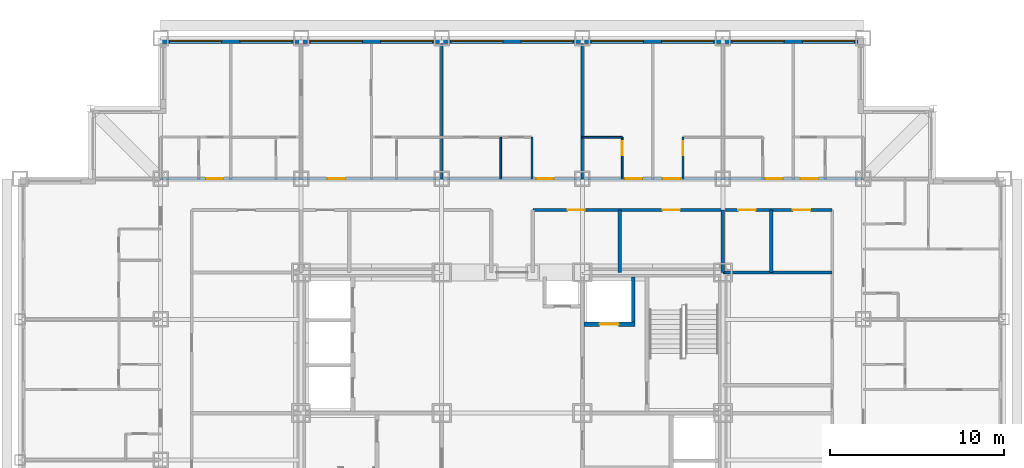
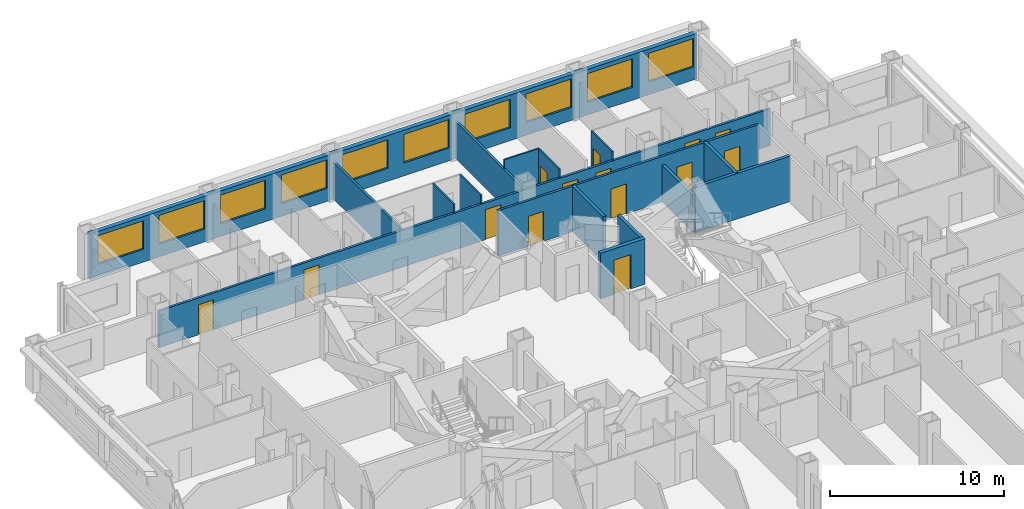
# One storey, part 10 of 14: 16 walls, 14 doors, 10 windows, 24 openings.
"""IFC4 building model written with IfcOpenShell, lengths in metres."""

from ifc_helpers import new_model, si_unit, direction, frame, frame_2d, origin, place, context, subcontext, project, spatial, rectangle, extrude, material, layer, layer_set, type_object, element, fill, save


model = new_model("IFC4")

# Units and contexts
model_context = context("Model", 3, precision=1e-05, world=origin(), true_north=direction((0.0, 1.0)))
body_context = subcontext(model_context, "Body", "Model", "MODEL_VIEW")
ifc_project = project(units=[si_unit("LENGTHUNIT", "METRE"), si_unit("AREAUNIT", "SQUARE_METRE"), si_unit("VOLUMEUNIT", "CUBIC_METRE"), si_unit("PLANEANGLEUNIT", "RADIAN"), si_unit("MASSUNIT", "GRAM", prefix="KILO")], contexts=[model_context])

# Site, building, storey
site_placement = place(None, origin())
site = spatial("IfcSite", under=ifc_project, at=site_placement, CompositionType="ELEMENT")
building_placement = place(site_placement, origin())
building = spatial("IfcBuilding", under=site, at=building_placement, Name="Kopane Lantern Tower", CompositionType="ELEMENT")
storey_placement = place(building_placement, frame((0.0, 0.0, 123.800048828125)))
storey = spatial("IfcBuildingStorey", under=building, at=storey_placement, Name="L31", CompositionType="ELEMENT", Elevation=123.800048828125)

# Walls
ifc_material_1 = material(Name="Moisture-resistant board on steel studs", Category="steel")
ifc_layer_1 = layer(ifc_material_1, 0.10009765625)
ifc_layer_set_1 = layer_set([ifc_layer_1], Name="BATHROOM WALL 100")
wall_type_1 = type_object("IfcWallType", Name="BATHROOM WALL 100", PredefinedType="PARTITIONING", material=ifc_layer_set_1)
for number, where, z_axis, x_axis, name in (
    (1, (27.699951171875, 45.89990234375, 0.0), (0.0, 0.0, 1.0), (0.0, 1.0, 0.0), "Bathroom Wall 100 L31"),
    (2, (29.5, 45.89990234375, 0.0), (0.0, 0.0, 1.0), (0.0, 1.0, 0.0), "Bathroom Wall 100 L31"),
):
    element("IfcWall", number, at=place(storey_placement, frame(where, z_axis=z_axis, x_axis=x_axis)), inside=storey, type_object=wall_type_1, Name=name, PredefinedType="PARTITIONING", context=body_context, shape_type="SweptSolid", body=[
        extrude(rectangle(XDim=2.400146484375, YDim=0.10009765625, at=frame_2d((1.2001953125, 0.0))), origin(), (0.0, 0.0, 1.0), 3.18994140625),
    ])
wall_1_placement = place(storey_placement, frame((32.39990234375, 48.300048828125, 0.0), z_axis=(0.0, 0.0, 1.0), x_axis=(1.0, 0.0, 0.0)))
element("IfcWall", 3, at=wall_1_placement, inside=storey, type_object=wall_type_1, Name="Bathroom Wall 100 L31", PredefinedType="PARTITIONING", context=body_context, shape_type="SweptSolid", body=[
    extrude(rectangle(XDim=2.300048828125, YDim=0.10009765625, at=frame_2d((1.14990234375, 0.0))), origin(), (0.0, 0.0, 1.0), 3.18994140625),
])

# Wall, opening, door
wall_2_placement = place(storey_placement, frame((34.699951171875, 45.89990234375, 0.0), z_axis=(0.0, 0.0, 1.0), x_axis=(0.0, 1.0, 0.0)))
wall_2 = element("IfcWall", 4, at=wall_2_placement, inside=storey, type_object=wall_type_1, Name="Bathroom Wall 100 L31", PredefinedType="PARTITIONING", context=body_context, shape_type="SweptSolid", body=[
    extrude(rectangle(XDim=2.400146484375, YDim=0.10009765625, at=frame_2d((1.2001953125, 0.0))), origin(), (0.0, 0.0, 1.0), 3.18994140625),
])
opening_1_placement = place(wall_2_placement, frame((1.35009765625, 0.0, 0.0)))
opening_1 = element("IfcOpeningElement", 5, at=opening_1_placement, cuts=wall_2, Name="Opening L31-037", PredefinedType="OPENING", context=body_context, shape_type="SweptSolid", body=[
    extrude(rectangle(XDim=0.800048828125, YDim=2.10009765625, at=frame_2d((0.39990234375, 1.050048828125))), frame((0.0, 0.06005859375, 0.0), z_axis=(0.0, -1.0, 0.0), x_axis=(1.0, 0.0, 0.0)), (0.0, 0.0, 1.0), 0.1201171875),
])
ifc_material_2 = material(Name="Timber door set", Category="wood")
door_type_1 = type_object("IfcDoorType", Name="DOOR D2 800x2100", OperationType="SINGLE_SWING_LEFT", PredefinedType="DOOR", material=ifc_material_2)
door_1_placement = place(opening_1_placement, origin())
door_1 = element("IfcDoor", 6, at=door_1_placement, inside=storey, type_object=door_type_1, Name="Door L31-037", OperationType="SINGLE_SWING_RIGHT", OverallHeight=2.10009765625, OverallWidth=0.800048828125, PredefinedType="DOOR", context=body_context, shape_type="SweptSolid", body=[
    extrude(rectangle(XDim=0.800048828125, YDim=2.10009765625, at=frame_2d((0.39990234375, 1.050048828125))), frame((0.0, 0.02490234375, 0.0), z_axis=(0.0, -1.0, 0.0), x_axis=(1.0, 0.0, 0.0)), (0.0, 0.0, 1.0), 0.050048828125),
])
fill(opening_1, door_1)

wall_3_placement = place(storey_placement, frame((38.199951171875, 45.89990234375, 0.0), z_axis=(0.0, 0.0, 1.0), x_axis=(0.0, 1.0, 0.0)))
wall_3 = element("IfcWall", 7, at=wall_3_placement, inside=storey, type_object=wall_type_1, Name="Bathroom Wall 100 L31", PredefinedType="PARTITIONING", context=body_context, shape_type="SweptSolid", body=[
    extrude(rectangle(XDim=2.400146484375, YDim=0.10009765625, at=frame_2d((1.2001953125, 0.0))), origin(), (0.0, 0.0, 1.0), 3.18994140625),
])
opening_2_placement = place(wall_3_placement, frame((1.35009765625, 0.0, 0.0)))
opening_2 = element("IfcOpeningElement", 8, at=opening_2_placement, cuts=wall_3, Name="Opening L31-039", PredefinedType="OPENING", context=body_context, shape_type="SweptSolid", body=[
    extrude(rectangle(XDim=0.800048828125, YDim=2.10009765625, at=frame_2d((0.39990234375, 1.050048828125))), frame((0.0, 0.06005859375, 0.0), z_axis=(0.0, -1.0, 0.0), x_axis=(1.0, 0.0, 0.0)), (0.0, 0.0, 1.0), 0.1201171875),
])
door_2_placement = place(opening_2_placement, origin())
door_2 = element("IfcDoor", 9, at=door_2_placement, inside=storey, type_object=door_type_1, Name="Door L31-039", OperationType="SINGLE_SWING_LEFT", OverallHeight=2.10009765625, OverallWidth=0.800048828125, PredefinedType="DOOR", context=body_context, shape_type="SweptSolid", body=[
    extrude(rectangle(XDim=0.800048828125, YDim=2.10009765625, at=frame_2d((0.39990234375, 1.050048828125))), frame((0.0, 0.02490234375, 0.0), z_axis=(0.0, -1.0, 0.0), x_axis=(1.0, 0.0, 0.0)), (0.0, 0.0, 1.0), 0.050048828125),
])
fill(opening_2, door_2)

ifc_material_3 = material(Name="Gypsum shaft wall EI 120", Category="gypsum")
ifc_layer_2 = layer(ifc_material_3, 0.25)
ifc_layer_set_2 = layer_set([ifc_layer_2], Name="CORE SHAFT WALL 250 EI 120")
wall_type_2 = type_object("IfcWallType", Name="CORE SHAFT WALL 250 EI 120", PredefinedType="SOLIDWALL", material=ifc_layer_set_2)
wall_4_placement = place(storey_placement, frame((32.5, 37.52490234375, 0.0), z_axis=(0.0, 0.0, 1.0), x_axis=(1.0, 0.0, 0.0)))
wall_4 = element("IfcWall", 10, at=wall_4_placement, inside=storey, type_object=wall_type_2, Name="Core shaft wall L31 YLF2", PredefinedType="SOLIDWALL", context=body_context, shape_type="SweptSolid", body=[
    extrude(rectangle(XDim=2.949951171875, YDim=0.25, at=frame_2d((1.47509765625, 0.0))), origin(), (0.0, 0.0, 1.0), 3.18994140625),
])
opening_3_placement = place(wall_4_placement, frame((0.89990234375, 0.0, 0.0)))
opening_3 = element("IfcOpeningElement", 11, at=opening_3_placement, cuts=wall_4, Name="Opening 31.LD-LF2", PredefinedType="OPENING", context=body_context, shape_type="SweptSolid", body=[
    extrude(rectangle(XDim=1.10009765625, YDim=2.39990234375, at=frame_2d((0.550048828125, 1.199951171875))), frame((0.0, 0.135009765625, 0.0), z_axis=(0.0, -1.0, 0.0), x_axis=(1.0, 0.0, 0.0)), (0.0, 0.0, 1.0), 0.27001953125),
])
ifc_material_4 = material(Name="Steel door set", Category="steel")
door_type_2 = type_object("IfcDoorType", Name="LIFT LANDING DOOR 1100x2400 FD60", OperationType="DOUBLE_DOOR_SLIDING", PredefinedType="DOOR", material=ifc_material_4)
door_3_placement = place(opening_3_placement, origin())
door_3 = element("IfcDoor", 12, at=door_3_placement, inside=storey, type_object=door_type_2, Name="Landing door LF2 L31", OperationType="DOUBLE_DOOR_SLIDING", OverallHeight=2.39990234375, OverallWidth=1.10009765625, PredefinedType="DOOR", context=body_context, shape_type="SweptSolid", body=[
    extrude(rectangle(XDim=1.10009765625, YDim=2.39990234375, at=frame_2d((0.550048828125, 1.199951171875))), frame((0.0, 0.02490234375, 0.0), z_axis=(0.0, -1.0, 0.0), x_axis=(1.0, 0.0, 0.0)), (0.0, 0.0, 1.0), 0.050048828125),
])
fill(opening_3, door_3)

# Wall, openings, doors
ifc_material_5 = material(Name="Gypsum board on steel studs", Category="steel")
ifc_layer_3 = layer(ifc_material_5, 0.14990234375)
ifc_layer_set_3 = layer_set([ifc_layer_3], Name="CORRIDOR WALL 150 EI 60")
wall_type_3 = type_object("IfcWallType", Name="CORRIDOR WALL 150 EI 60", PredefinedType="PARTITIONING", material=ifc_layer_set_3)
wall_5_placement = place(storey_placement, frame((8.10009765625, 45.89990234375, 0.0), z_axis=(0.0, 0.0, 1.0), x_axis=(1.0, 0.0, 0.0)))
wall_5 = element("IfcWall", 13, at=wall_5_placement, inside=storey, type_object=wall_type_3, Name="Corridor Wall 150 Ei 60 L31", PredefinedType="PARTITIONING", context=body_context, shape_type="SweptSolid", body=[
    extrude(rectangle(XDim=40.5, YDim=0.14990234375, at=frame_2d((20.25, 0.0))), origin(), (0.0, 0.0, 1.0), 2.57763671875),
])
opening_4_placement = place(wall_5_placement, frame((9.625, 0.0, 0.0)))
opening_4 = element("IfcOpeningElement", 14, at=opening_4_placement, cuts=wall_5, Name="Opening L31-029", PredefinedType="OPENING", context=body_context, shape_type="SweptSolid", body=[
    extrude(rectangle(XDim=1.0, YDim=2.10009765625, at=frame_2d((0.5, 1.050048828125))), frame((0.0, 0.0849609375, 0.0), z_axis=(0.0, -1.0, 0.0), x_axis=(1.0, 0.0, 0.0)), (0.0, 0.0, 1.0), 0.169921875),
])
opening_5_placement = place(wall_5_placement, frame((21.64990234375, 0.0, 0.0)))
opening_5 = element("IfcOpeningElement", 15, at=opening_5_placement, cuts=wall_5, Name="Opening L31-036", PredefinedType="OPENING", context=body_context, shape_type="SweptSolid", body=[
    extrude(rectangle(XDim=1.0, YDim=2.10009765625, at=frame_2d((0.5, 1.050048828125))), frame((0.0, 0.0849609375, 0.0), z_axis=(0.0, -1.0, 0.0), x_axis=(1.0, 0.0, 0.0)), (0.0, 0.0, 1.0), 0.169921875),
])
opening_6_placement = place(wall_5_placement, frame((26.75, 0.0, 0.0)))
opening_6 = element("IfcOpeningElement", 16, at=opening_6_placement, cuts=wall_5, Name="Opening L31-038", PredefinedType="OPENING", context=body_context, shape_type="SweptSolid", body=[
    extrude(rectangle(XDim=1.0, YDim=2.10009765625, at=frame_2d((0.5, 1.050048828125))), frame((0.0, 0.0849609375, 0.0), z_axis=(0.0, -1.0, 0.0), x_axis=(1.0, 0.0, 0.0)), (0.0, 0.0, 1.0), 0.169921875),
])
opening_7_placement = place(wall_5_placement, frame((28.949951171875, 0.0, 0.0)))
opening_7 = element("IfcOpeningElement", 17, at=opening_7_placement, cuts=wall_5, Name="Opening L31-040", PredefinedType="OPENING", context=body_context, shape_type="SweptSolid", body=[
    extrude(rectangle(XDim=1.0, YDim=2.10009765625, at=frame_2d((0.5, 1.050048828125))), frame((0.0, 0.0849609375, 0.0), z_axis=(0.0, -1.0, 0.0), x_axis=(1.0, 0.0, 0.0)), (0.0, 0.0, 1.0), 0.169921875),
])
opening_8_placement = place(wall_5_placement, frame((34.85009765625, 0.0, 0.0)))
opening_8 = element("IfcOpeningElement", 18, at=opening_8_placement, cuts=wall_5, Name="Opening L31-042", PredefinedType="OPENING", context=body_context, shape_type="SweptSolid", body=[
    extrude(rectangle(XDim=1.0, YDim=2.10009765625, at=frame_2d((0.5, 1.050048828125))), frame((0.0, 0.0849609375, 0.0), z_axis=(0.0, -1.0, 0.0), x_axis=(1.0, 0.0, 0.0)), (0.0, 0.0, 1.0), 0.169921875),
])
opening_9_placement = place(wall_5_placement, frame((36.875, 0.0, 0.0)))
opening_9 = element("IfcOpeningElement", 19, at=opening_9_placement, cuts=wall_5, Name="Opening L31-074", PredefinedType="OPENING", context=body_context, shape_type="SweptSolid", body=[
    extrude(rectangle(XDim=1.0, YDim=2.10009765625, at=frame_2d((0.5, 1.050048828125))), frame((0.0, 0.0849609375, 0.0), z_axis=(0.0, -1.0, 0.0), x_axis=(1.0, 0.0, 0.0)), (0.0, 0.0, 1.0), 0.169921875),
])
opening_10_placement = place(wall_5_placement, frame((2.625, 0.0, 0.0)))
opening_10 = element("IfcOpeningElement", 20, at=opening_10_placement, cuts=wall_5, Name="Opening L31-077", PredefinedType="OPENING", context=body_context, shape_type="SweptSolid", body=[
    extrude(rectangle(XDim=1.0, YDim=2.10009765625, at=frame_2d((0.5, 1.050048828125))), frame((0.0, 0.0849609375, 0.0), z_axis=(0.0, -1.0, 0.0), x_axis=(1.0, 0.0, 0.0)), (0.0, 0.0, 1.0), 0.169921875),
])
ifc_material_6 = material(Name="Steel door set", Category="steel")
door_type_3 = type_object("IfcDoorType", Name="DOOR D1 1000x2100 FD30S", OperationType="SINGLE_SWING_LEFT", PredefinedType="DOOR", material=ifc_material_6)
door_4_placement = place(opening_4_placement, origin())
door_4 = element("IfcDoor", 21, at=door_4_placement, inside=storey, type_object=door_type_3, Name="Door L31-029", OperationType="SINGLE_SWING_RIGHT", OverallHeight=2.10009765625, OverallWidth=1.0, PredefinedType="DOOR", context=body_context, shape_type="SweptSolid", body=[
    extrude(rectangle(XDim=1.0, YDim=2.10009765625, at=frame_2d((0.5, 1.050048828125))), frame((0.0, 0.02490234375, 0.0), z_axis=(0.0, -1.0, 0.0), x_axis=(1.0, 0.0, 0.0)), (0.0, 0.0, 1.0), 0.050048828125),
])
fill(opening_4, door_4)
door_5_placement = place(opening_5_placement, origin())
door_5 = element("IfcDoor", 22, at=door_5_placement, inside=storey, type_object=door_type_3, Name="Door L31-036", OperationType="SINGLE_SWING_LEFT", OverallHeight=2.10009765625, OverallWidth=1.0, PredefinedType="DOOR", context=body_context, shape_type="SweptSolid", body=[
    extrude(rectangle(XDim=1.0, YDim=2.10009765625, at=frame_2d((0.5, 1.050048828125))), frame((0.0, 0.02490234375, 0.0), z_axis=(0.0, -1.0, 0.0), x_axis=(1.0, 0.0, 0.0)), (0.0, 0.0, 1.0), 0.050048828125),
])
fill(opening_5, door_5)
door_6_placement = place(opening_6_placement, origin())
door_6 = element("IfcDoor", 23, at=door_6_placement, inside=storey, type_object=door_type_3, Name="Door L31-038", OperationType="SINGLE_SWING_LEFT", OverallHeight=2.10009765625, OverallWidth=1.0, PredefinedType="DOOR", context=body_context, shape_type="SweptSolid", body=[
    extrude(rectangle(XDim=1.0, YDim=2.10009765625, at=frame_2d((0.5, 1.050048828125))), frame((0.0, 0.02490234375, 0.0), z_axis=(0.0, -1.0, 0.0), x_axis=(1.0, 0.0, 0.0)), (0.0, 0.0, 1.0), 0.050048828125),
])
fill(opening_6, door_6)
door_7_placement = place(opening_7_placement, origin())
door_7 = element("IfcDoor", 24, at=door_7_placement, inside=storey, type_object=door_type_3, Name="Door L31-040", OperationType="SINGLE_SWING_RIGHT", OverallHeight=2.10009765625, OverallWidth=1.0, PredefinedType="DOOR", context=body_context, shape_type="SweptSolid", body=[
    extrude(rectangle(XDim=1.0, YDim=2.10009765625, at=frame_2d((0.5, 1.050048828125))), frame((0.0, 0.02490234375, 0.0), z_axis=(0.0, -1.0, 0.0), x_axis=(1.0, 0.0, 0.0)), (0.0, 0.0, 1.0), 0.050048828125),
])
fill(opening_7, door_7)
door_8_placement = place(opening_8_placement, origin())
door_8 = element("IfcDoor", 25, at=door_8_placement, inside=storey, type_object=door_type_3, Name="Door L31-042", OperationType="SINGLE_SWING_LEFT", OverallHeight=2.10009765625, OverallWidth=1.0, PredefinedType="DOOR", context=body_context, shape_type="SweptSolid", body=[
    extrude(rectangle(XDim=1.0, YDim=2.10009765625, at=frame_2d((0.5, 1.050048828125))), frame((0.0, 0.02490234375, 0.0), z_axis=(0.0, -1.0, 0.0), x_axis=(1.0, 0.0, 0.0)), (0.0, 0.0, 1.0), 0.050048828125),
])
fill(opening_8, door_8)
door_9_placement = place(opening_9_placement, origin())
door_9 = element("IfcDoor", 26, at=door_9_placement, inside=storey, type_object=door_type_3, Name="Door L31-074", OperationType="SINGLE_SWING_LEFT", OverallHeight=2.10009765625, OverallWidth=1.0, PredefinedType="DOOR", context=body_context, shape_type="SweptSolid", body=[
    extrude(rectangle(XDim=1.0, YDim=2.10009765625, at=frame_2d((0.5, 1.050048828125))), frame((0.0, 0.02490234375, 0.0), z_axis=(0.0, -1.0, 0.0), x_axis=(1.0, 0.0, 0.0)), (0.0, 0.0, 1.0), 0.050048828125),
])
fill(opening_9, door_9)
door_10_placement = place(opening_10_placement, origin())
door_10 = element("IfcDoor", 27, at=door_10_placement, inside=storey, type_object=door_type_3, Name="Door L31-077", OperationType="SINGLE_SWING_LEFT", OverallHeight=2.10009765625, OverallWidth=1.0, PredefinedType="DOOR", context=body_context, shape_type="SweptSolid", body=[
    extrude(rectangle(XDim=1.0, YDim=2.10009765625, at=frame_2d((0.5, 1.050048828125))), frame((0.0, 0.02490234375, 0.0), z_axis=(0.0, -1.0, 0.0), x_axis=(1.0, 0.0, 0.0)), (0.0, 0.0, 1.0), 0.050048828125),
])
fill(opening_10, door_10)

wall_6_placement = place(storey_placement, frame((46.800048828125, 44.10009765625, 0.0), z_axis=(0.0, 0.0, 1.0), x_axis=(-1.0, 0.0, 0.0)))
wall_6 = element("IfcWall", 28, at=wall_6_placement, inside=storey, type_object=wall_type_3, Name="Corridor Wall 150 Ei 60 L31", PredefinedType="PARTITIONING", context=body_context, shape_type="SweptSolid", body=[
    extrude(rectangle(XDim=17.239990234375, YDim=0.14990234375, at=frame_2d((8.6201171875, 0.0))), origin(), (0.0, 0.0, 1.0), 3.18994140625),
])
opening_11_placement = place(wall_6_placement, frame((14.25, 0.0, 0.0)))
opening_11 = element("IfcOpeningElement", 29, at=opening_11_placement, cuts=wall_6, Name="Opening L31-011", PredefinedType="OPENING", context=body_context, shape_type="SweptSolid", body=[
    extrude(rectangle(XDim=1.0, YDim=2.10009765625, at=frame_2d((0.5, 1.050048828125))), frame((0.0, 0.0849609375, 0.0), z_axis=(0.0, -1.0, 0.0), x_axis=(1.0, 0.0, 0.0)), (0.0, 0.0, 1.0), 0.169921875),
])
opening_12_placement = place(wall_6_placement, frame((8.77490234375, 0.0, 0.0)))
opening_12 = element("IfcOpeningElement", 30, at=opening_12_placement, cuts=wall_6, Name="Opening L31-012", PredefinedType="OPENING", context=body_context, shape_type="SweptSolid", body=[
    extrude(rectangle(XDim=1.0, YDim=2.10009765625, at=frame_2d((0.5, 1.050048828125))), frame((0.0, 0.0849609375, 0.0), z_axis=(0.0, -1.0, 0.0), x_axis=(1.0, 0.0, 0.0)), (0.0, 0.0, 1.0), 0.169921875),
])
opening_13_placement = place(wall_6_placement, frame((4.4111328125, 0.0, 0.0)))
opening_13 = element("IfcOpeningElement", 31, at=opening_13_placement, cuts=wall_6, Name="Opening L31-013", PredefinedType="OPENING", context=body_context, shape_type="SweptSolid", body=[
    extrude(rectangle(XDim=1.0, YDim=2.10009765625, at=frame_2d((0.5, 1.050048828125))), frame((0.0, 0.0849609375, 0.0), z_axis=(0.0, -1.0, 0.0), x_axis=(1.0, 0.0, 0.0)), (0.0, 0.0, 1.0), 0.169921875),
])
opening_14_placement = place(wall_6_placement, frame((1.260986328125, 0.0, 0.0)))
opening_14 = element("IfcOpeningElement", 32, at=opening_14_placement, cuts=wall_6, Name="Opening L31-014", PredefinedType="OPENING", context=body_context, shape_type="SweptSolid", body=[
    extrude(rectangle(XDim=1.0, YDim=2.10009765625, at=frame_2d((0.5, 1.050048828125))), frame((0.0, 0.0849609375, 0.0), z_axis=(0.0, -1.0, 0.0), x_axis=(1.0, 0.0, 0.0)), (0.0, 0.0, 1.0), 0.169921875),
])
ifc_material_7 = material(Name="Steel door set", Category="steel")
door_type_4 = type_object("IfcDoorType", Name="DOOR D5 1000x2100 FD60", OperationType="SINGLE_SWING_LEFT", PredefinedType="DOOR", material=ifc_material_7)
door_11_placement = place(opening_11_placement, origin())
door_11 = element("IfcDoor", 33, at=door_11_placement, inside=storey, type_object=door_type_4, Name="Door L31-011", OperationType="SINGLE_SWING_RIGHT", OverallHeight=2.10009765625, OverallWidth=1.0, PredefinedType="DOOR", context=body_context, shape_type="SweptSolid", body=[
    extrude(rectangle(XDim=1.0, YDim=2.10009765625, at=frame_2d((0.5, 1.050048828125))), frame((0.0, 0.02490234375, 0.0), z_axis=(0.0, -1.0, 0.0), x_axis=(1.0, 0.0, 0.0)), (0.0, 0.0, 1.0), 0.050048828125),
])
fill(opening_11, door_11)
door_12_placement = place(opening_12_placement, origin())
door_12 = element("IfcDoor", 34, at=door_12_placement, inside=storey, type_object=door_type_4, Name="Door L31-012", OperationType="SINGLE_SWING_LEFT", OverallHeight=2.10009765625, OverallWidth=1.0, PredefinedType="DOOR", context=body_context, shape_type="SweptSolid", body=[
    extrude(rectangle(XDim=1.0, YDim=2.10009765625, at=frame_2d((0.5, 1.050048828125))), frame((0.0, 0.02490234375, 0.0), z_axis=(0.0, -1.0, 0.0), x_axis=(1.0, 0.0, 0.0)), (0.0, 0.0, 1.0), 0.050048828125),
])
fill(opening_12, door_12)
door_13_placement = place(opening_13_placement, origin())
door_13 = element("IfcDoor", 35, at=door_13_placement, inside=storey, type_object=door_type_4, Name="Door L31-013", OperationType="SINGLE_SWING_RIGHT", OverallHeight=2.10009765625, OverallWidth=1.0, PredefinedType="DOOR", context=body_context, shape_type="SweptSolid", body=[
    extrude(rectangle(XDim=1.0, YDim=2.10009765625, at=frame_2d((0.5, 1.050048828125))), frame((0.0, 0.02490234375, 0.0), z_axis=(0.0, -1.0, 0.0), x_axis=(1.0, 0.0, 0.0)), (0.0, 0.0, 1.0), 0.050048828125),
])
fill(opening_13, door_13)
door_14_placement = place(opening_14_placement, origin())
door_14 = element("IfcDoor", 36, at=door_14_placement, inside=storey, type_object=door_type_4, Name="Door L31-014", OperationType="SINGLE_SWING_LEFT", OverallHeight=2.10009765625, OverallWidth=1.0, PredefinedType="DOOR", context=body_context, shape_type="SweptSolid", body=[
    extrude(rectangle(XDim=1.0, YDim=2.10009765625, at=frame_2d((0.5, 1.050048828125))), frame((0.0, 0.02490234375, 0.0), z_axis=(0.0, -1.0, 0.0), x_axis=(1.0, 0.0, 0.0)), (0.0, 0.0, 1.0), 0.050048828125),
])
fill(opening_14, door_14)

# Walls
ifc_material_8 = material(Name="Gypsum board on steel studs", Category="steel")
ifc_layer_4 = layer(ifc_material_8, 0.14990234375)
ifc_layer_set_4 = layer_set([ifc_layer_4], Name="DEMISING WALL 150 EI 60")
wall_type_4 = type_object("IfcWallType", Name="DEMISING WALL 150 EI 60", PredefinedType="PARTITIONING", material=ifc_layer_set_4)
for number, where, z_axis, x_axis, name in (
    (37, (24.300048828125, 45.89990234375, 0.0), (0.0, 0.0, 1.0), (0.0, 1.0, 0.0), "Demising Wall 150 Ei 60 L31"),
    (38, (32.39990234375, 45.89990234375, 0.0), (0.0, 0.0, 1.0), (0.0, 1.0, 0.0), "Demising Wall 150 Ei 60 L31"),
):
    element("IfcWall", number, at=place(storey_placement, frame(where, z_axis=z_axis, x_axis=x_axis)), inside=storey, type_object=wall_type_4, Name=name, PredefinedType="PARTITIONING", context=body_context, shape_type="SweptSolid", body=[
        extrude(rectangle(XDim=7.800048828125, YDim=0.14990234375, at=frame_2d((3.89990234375, 0.0))), origin(), (0.0, 0.0, 1.0), 2.57763671875),
    ])

# Wall, openings, windows
ifc_material_9 = material(Name="Terracotta rainscreen on light steel framing", Category="masonry")
ifc_layer_5 = layer(ifc_material_9, 0.300048828125)
ifc_layer_set_5 = layer_set([ifc_layer_5], Name="EXTERNAL WALL EW1 300 TERRACOTTA")
wall_type_5 = type_object("IfcWallType", Name="EXTERNAL WALL EW1 300 TERRACOTTA", PredefinedType="SOLIDWALL", material=ifc_layer_set_5)
wall_7_placement = place(storey_placement, frame((48.300048828125, 53.85009765625, 0.0), z_axis=(0.0, 0.0, 1.0), x_axis=(-1.0, 0.0, 0.0)))
wall_7 = element("IfcWall", 39, at=wall_7_placement, inside=storey, type_object=wall_type_5, Name="External wall N L31", PredefinedType="SOLIDWALL", context=body_context, shape_type="SweptSolid", body=[
    extrude(rectangle(XDim=40.199951171875, YDim=0.300048828125, at=frame_2d((20.10009765625, 0.0))), origin(), (0.0, 0.0, 1.0), 3.18994140625),
])
opening_15_placement = place(wall_7_placement, frame((0.22509765625, 0.0, 0.89990234375)))
opening_15 = element("IfcOpeningElement", 40, at=opening_15_placement, cuts=wall_7, Name="Opening WR300200", PredefinedType="OPENING", context=body_context, shape_type="SweptSolid", body=[
    extrude(rectangle(XDim=3.0, YDim=2.0, at=frame_2d((1.5, 1.0))), frame((0.0, 0.159912109375, 0.0), z_axis=(0.0, -1.0, 0.0), x_axis=(1.0, 0.0, 0.0)), (0.0, 0.0, 1.0), 0.320068359375),
])
opening_16_placement = place(wall_7_placement, frame((4.27490234375, 0.0, 0.89990234375)))
opening_16 = element("IfcOpeningElement", 41, at=opening_16_placement, cuts=wall_7, Name="Opening WR300200", PredefinedType="OPENING", context=body_context, shape_type="SweptSolid", body=[
    extrude(rectangle(XDim=3.0, YDim=2.0, at=frame_2d((1.5, 1.0))), frame((0.0, 0.159912109375, 0.0), z_axis=(0.0, -1.0, 0.0), x_axis=(1.0, 0.0, 0.0)), (0.0, 0.0, 1.0), 0.320068359375),
])
opening_17_placement = place(wall_7_placement, frame((8.324951171875, 0.0, 0.89990234375)))
opening_17 = element("IfcOpeningElement", 42, at=opening_17_placement, cuts=wall_7, Name="Opening WR300200", PredefinedType="OPENING", context=body_context, shape_type="SweptSolid", body=[
    extrude(rectangle(XDim=3.0, YDim=2.0, at=frame_2d((1.5, 1.0))), frame((0.0, 0.159912109375, 0.0), z_axis=(0.0, -1.0, 0.0), x_axis=(1.0, 0.0, 0.0)), (0.0, 0.0, 1.0), 0.320068359375),
])
opening_18_placement = place(wall_7_placement, frame((12.375, 0.0, 0.89990234375)))
opening_18 = element("IfcOpeningElement", 43, at=opening_18_placement, cuts=wall_7, Name="Opening WR300200", PredefinedType="OPENING", context=body_context, shape_type="SweptSolid", body=[
    extrude(rectangle(XDim=3.0, YDim=2.0, at=frame_2d((1.5, 1.0))), frame((0.0, 0.159912109375, 0.0), z_axis=(0.0, -1.0, 0.0), x_axis=(1.0, 0.0, 0.0)), (0.0, 0.0, 1.0), 0.320068359375),
])
opening_19_placement = place(wall_7_placement, frame((16.425048828125, 0.0, 0.89990234375)))
opening_19 = element("IfcOpeningElement", 44, at=opening_19_placement, cuts=wall_7, Name="Opening WR300200", PredefinedType="OPENING", context=body_context, shape_type="SweptSolid", body=[
    extrude(rectangle(XDim=3.0, YDim=2.0, at=frame_2d((1.5, 1.0))), frame((0.0, 0.159912109375, 0.0), z_axis=(0.0, -1.0, 0.0), x_axis=(1.0, 0.0, 0.0)), (0.0, 0.0, 1.0), 0.320068359375),
])
opening_20_placement = place(wall_7_placement, frame((20.47509765625, 0.0, 0.89990234375)))
opening_20 = element("IfcOpeningElement", 45, at=opening_20_placement, cuts=wall_7, Name="Opening WR300200", PredefinedType="OPENING", context=body_context, shape_type="SweptSolid", body=[
    extrude(rectangle(XDim=3.0, YDim=2.0, at=frame_2d((1.5, 1.0))), frame((0.0, 0.159912109375, 0.0), z_axis=(0.0, -1.0, 0.0), x_axis=(1.0, 0.0, 0.0)), (0.0, 0.0, 1.0), 0.320068359375),
])
opening_21_placement = place(wall_7_placement, frame((24.52490234375, 0.0, 0.89990234375)))
opening_21 = element("IfcOpeningElement", 46, at=opening_21_placement, cuts=wall_7, Name="Opening WR300200", PredefinedType="OPENING", context=body_context, shape_type="SweptSolid", body=[
    extrude(rectangle(XDim=3.0, YDim=2.0, at=frame_2d((1.5, 1.0))), frame((0.0, 0.159912109375, 0.0), z_axis=(0.0, -1.0, 0.0), x_axis=(1.0, 0.0, 0.0)), (0.0, 0.0, 1.0), 0.320068359375),
])
opening_22_placement = place(wall_7_placement, frame((28.574951171875, 0.0, 0.89990234375)))
opening_22 = element("IfcOpeningElement", 47, at=opening_22_placement, cuts=wall_7, Name="Opening WR300200", PredefinedType="OPENING", context=body_context, shape_type="SweptSolid", body=[
    extrude(rectangle(XDim=3.0, YDim=2.0, at=frame_2d((1.5, 1.0))), frame((0.0, 0.159912109375, 0.0), z_axis=(0.0, -1.0, 0.0), x_axis=(1.0, 0.0, 0.0)), (0.0, 0.0, 1.0), 0.320068359375),
])
opening_23_placement = place(wall_7_placement, frame((32.625, 0.0, 0.89990234375)))
opening_23 = element("IfcOpeningElement", 48, at=opening_23_placement, cuts=wall_7, Name="Opening WR300200", PredefinedType="OPENING", context=body_context, shape_type="SweptSolid", body=[
    extrude(rectangle(XDim=3.0, YDim=2.0, at=frame_2d((1.5, 1.0))), frame((0.0, 0.159912109375, 0.0), z_axis=(0.0, -1.0, 0.0), x_axis=(1.0, 0.0, 0.0)), (0.0, 0.0, 1.0), 0.320068359375),
])
opening_24_placement = place(wall_7_placement, frame((36.675048828125, 0.0, 0.89990234375)))
opening_24 = element("IfcOpeningElement", 49, at=opening_24_placement, cuts=wall_7, Name="Opening WR300200", PredefinedType="OPENING", context=body_context, shape_type="SweptSolid", body=[
    extrude(rectangle(XDim=3.0, YDim=2.0, at=frame_2d((1.5, 1.0))), frame((0.0, 0.159912109375, 0.0), z_axis=(0.0, -1.0, 0.0), x_axis=(1.0, 0.0, 0.0)), (0.0, 0.0, 1.0), 0.320068359375),
])
ifc_material_10 = material(Name="Aluminium and clear glass", Category="aluminium")
window_type = type_object("IfcWindowType", Name="RIBBON WINDOW WR300200 3000x2000", PartitioningType="SINGLE_PANEL", PredefinedType="WINDOW", material=ifc_material_10)
window_1_placement = place(opening_15_placement, origin())
window_1 = element("IfcWindow", 50, at=window_1_placement, inside=storey, type_object=window_type, Name="Window N L31", OverallHeight=2.0, OverallWidth=3.0, PartitioningType="SINGLE_PANEL", PredefinedType="WINDOW", context=body_context, shape_type="SweptSolid", body=[
    extrude(rectangle(XDim=3.0, YDim=2.0, at=frame_2d((1.5, 1.0))), frame((0.0, 0.030029296875, 0.0), z_axis=(0.0, -1.0, 0.0), x_axis=(1.0, 0.0, 0.0)), (0.0, 0.0, 1.0), 0.06005859375),
])
fill(opening_15, window_1)
window_2_placement = place(opening_16_placement, origin())
window_2 = element("IfcWindow", 51, at=window_2_placement, inside=storey, type_object=window_type, Name="Window N L31", OverallHeight=2.0, OverallWidth=3.0, PartitioningType="SINGLE_PANEL", PredefinedType="WINDOW", context=body_context, shape_type="SweptSolid", body=[
    extrude(rectangle(XDim=3.0, YDim=2.0, at=frame_2d((1.5, 1.0))), frame((0.0, 0.030029296875, 0.0), z_axis=(0.0, -1.0, 0.0), x_axis=(1.0, 0.0, 0.0)), (0.0, 0.0, 1.0), 0.06005859375),
])
fill(opening_16, window_2)
window_3_placement = place(opening_17_placement, origin())
window_3 = element("IfcWindow", 52, at=window_3_placement, inside=storey, type_object=window_type, Name="Window N L31", OverallHeight=2.0, OverallWidth=3.0, PartitioningType="SINGLE_PANEL", PredefinedType="WINDOW", context=body_context, shape_type="SweptSolid", body=[
    extrude(rectangle(XDim=3.0, YDim=2.0, at=frame_2d((1.5, 1.0))), frame((0.0, 0.030029296875, 0.0), z_axis=(0.0, -1.0, 0.0), x_axis=(1.0, 0.0, 0.0)), (0.0, 0.0, 1.0), 0.06005859375),
])
fill(opening_17, window_3)
window_4_placement = place(opening_18_placement, origin())
window_4 = element("IfcWindow", 53, at=window_4_placement, inside=storey, type_object=window_type, Name="Window N L31", OverallHeight=2.0, OverallWidth=3.0, PartitioningType="SINGLE_PANEL", PredefinedType="WINDOW", context=body_context, shape_type="SweptSolid", body=[
    extrude(rectangle(XDim=3.0, YDim=2.0, at=frame_2d((1.5, 1.0))), frame((0.0, 0.030029296875, 0.0), z_axis=(0.0, -1.0, 0.0), x_axis=(1.0, 0.0, 0.0)), (0.0, 0.0, 1.0), 0.06005859375),
])
fill(opening_18, window_4)
window_5_placement = place(opening_19_placement, origin())
window_5 = element("IfcWindow", 54, at=window_5_placement, inside=storey, type_object=window_type, Name="Window N L31", OverallHeight=2.0, OverallWidth=3.0, PartitioningType="SINGLE_PANEL", PredefinedType="WINDOW", context=body_context, shape_type="SweptSolid", body=[
    extrude(rectangle(XDim=3.0, YDim=2.0, at=frame_2d((1.5, 1.0))), frame((0.0, 0.030029296875, 0.0), z_axis=(0.0, -1.0, 0.0), x_axis=(1.0, 0.0, 0.0)), (0.0, 0.0, 1.0), 0.06005859375),
])
fill(opening_19, window_5)
window_6_placement = place(opening_20_placement, origin())
window_6 = element("IfcWindow", 55, at=window_6_placement, inside=storey, type_object=window_type, Name="Window N L31", OverallHeight=2.0, OverallWidth=3.0, PartitioningType="SINGLE_PANEL", PredefinedType="WINDOW", context=body_context, shape_type="SweptSolid", body=[
    extrude(rectangle(XDim=3.0, YDim=2.0, at=frame_2d((1.5, 1.0))), frame((0.0, 0.030029296875, 0.0), z_axis=(0.0, -1.0, 0.0), x_axis=(1.0, 0.0, 0.0)), (0.0, 0.0, 1.0), 0.06005859375),
])
fill(opening_20, window_6)
window_7_placement = place(opening_21_placement, origin())
window_7 = element("IfcWindow", 56, at=window_7_placement, inside=storey, type_object=window_type, Name="Window N L31", OverallHeight=2.0, OverallWidth=3.0, PartitioningType="SINGLE_PANEL", PredefinedType="WINDOW", context=body_context, shape_type="SweptSolid", body=[
    extrude(rectangle(XDim=3.0, YDim=2.0, at=frame_2d((1.5, 1.0))), frame((0.0, 0.030029296875, 0.0), z_axis=(0.0, -1.0, 0.0), x_axis=(1.0, 0.0, 0.0)), (0.0, 0.0, 1.0), 0.06005859375),
])
fill(opening_21, window_7)
window_8_placement = place(opening_22_placement, origin())
window_8 = element("IfcWindow", 57, at=window_8_placement, inside=storey, type_object=window_type, Name="Window N L31", OverallHeight=2.0, OverallWidth=3.0, PartitioningType="SINGLE_PANEL", PredefinedType="WINDOW", context=body_context, shape_type="SweptSolid", body=[
    extrude(rectangle(XDim=3.0, YDim=2.0, at=frame_2d((1.5, 1.0))), frame((0.0, 0.030029296875, 0.0), z_axis=(0.0, -1.0, 0.0), x_axis=(1.0, 0.0, 0.0)), (0.0, 0.0, 1.0), 0.06005859375),
])
fill(opening_22, window_8)
window_9_placement = place(opening_23_placement, origin())
window_9 = element("IfcWindow", 58, at=window_9_placement, inside=storey, type_object=window_type, Name="Window N L31", OverallHeight=2.0, OverallWidth=3.0, PartitioningType="SINGLE_PANEL", PredefinedType="WINDOW", context=body_context, shape_type="SweptSolid", body=[
    extrude(rectangle(XDim=3.0, YDim=2.0, at=frame_2d((1.5, 1.0))), frame((0.0, 0.030029296875, 0.0), z_axis=(0.0, -1.0, 0.0), x_axis=(1.0, 0.0, 0.0)), (0.0, 0.0, 1.0), 0.06005859375),
])
fill(opening_23, window_9)
window_10_placement = place(opening_24_placement, origin())
window_10 = element("IfcWindow", 59, at=window_10_placement, inside=storey, type_object=window_type, Name="Window N L31", OverallHeight=2.0, OverallWidth=3.0, PartitioningType="SINGLE_PANEL", PredefinedType="WINDOW", context=body_context, shape_type="SweptSolid", body=[
    extrude(rectangle(XDim=3.0, YDim=2.0, at=frame_2d((1.5, 1.0))), frame((0.0, 0.030029296875, 0.0), z_axis=(0.0, -1.0, 0.0), x_axis=(1.0, 0.0, 0.0)), (0.0, 0.0, 1.0), 0.06005859375),
])
fill(opening_24, window_10)

# Walls
ifc_material_11 = material(Name="Concrete masonry", Category="masonry")
ifc_layer_6 = layer(ifc_material_11, 0.199951171875)
ifc_layer_set_6 = layer_set([ifc_layer_6], Name="PLANT ROOM WALL 200 EI 120")
wall_type_6 = type_object("IfcWallType", Name="PLANT ROOM WALL 200 EI 120", PredefinedType="SOLIDWALL", material=ifc_layer_set_6)
wall_8_placement = place(storey_placement, frame((40.5, 40.5, 0.0), z_axis=(0.0, 0.0, 1.0), x_axis=(0.0, 1.0, 0.0)))
element("IfcWall", 60, at=wall_8_placement, inside=storey, type_object=wall_type_6, Name="Plant Room Wall 200 Ei 120 L31", PredefinedType="SOLIDWALL", context=body_context, shape_type="SweptSolid", body=[
    extrude(rectangle(XDim=3.60009765625, YDim=0.199951171875, at=frame_2d((1.800048828125, 0.0))), origin(), (0.0, 0.0, 1.0), 2.57763671875),
])
for number, where, z_axis, x_axis, name in (
    (61, (34.550048828125, 44.10009765625, 0.0), (0.0, 0.0, 1.0), (0.0, -1.0, 0.0), "Plant Room Wall 200 Ei 120 L31"),
    (62, (43.27783203125, 44.10009765625, 0.0), (0.0, 0.0, 1.0), (0.0, -1.0, 0.0), "Plant Room Wall 200 Ei 120 L31"),
):
    element("IfcWall", number, at=place(storey_placement, frame(where, z_axis=z_axis, x_axis=x_axis)), inside=storey, type_object=wall_type_6, Name=name, PredefinedType="SOLIDWALL", context=body_context, shape_type="SweptSolid", body=[
        extrude(rectangle(XDim=3.60009765625, YDim=0.199951171875, at=frame_2d((1.800048828125, 0.0))), origin(), (0.0, 0.0, 1.0), 3.18994140625),
    ])
wall_9_placement = place(storey_placement, frame((40.5, 40.5, 0.0), z_axis=(0.0, 0.0, 1.0), x_axis=(1.0, 0.0, 0.0)))
element("IfcWall", 63, at=wall_9_placement, inside=storey, type_object=wall_type_6, Name="Plant Room Wall 200 Ei 120 L31", PredefinedType="SOLIDWALL", context=body_context, shape_type="SweptSolid", body=[
    extrude(rectangle(XDim=6.300048828125, YDim=0.199951171875, at=frame_2d((3.14990234375, 0.0))), origin(), (0.0, 0.0, 1.0), 3.18994140625),
])
ifc_material_12 = material(Name="Gypsum shaft wall EI 120", Category="gypsum")
ifc_layer_7 = layer(ifc_material_12, 0.199951171875)
ifc_layer_set_7 = layer_set([ifc_layer_7], Name="SHAFT WALL 200 EI 120")
wall_type_7 = type_object("IfcWallType", Name="SHAFT WALL 200 EI 120", PredefinedType="SOLIDWALL", material=ifc_layer_set_7)
wall_10_placement = place(storey_placement, frame((35.35009765625, 37.64990234375, 0.0), z_axis=(0.0, 0.0, 1.0), x_axis=(0.0, 1.0, 0.0)))
element("IfcWall", 64, at=wall_10_placement, inside=storey, type_object=wall_type_7, Name="Core shaft wall L31 XLF2", PredefinedType="SOLIDWALL", context=body_context, shape_type="SweptSolid", body=[
    extrude(rectangle(XDim=2.60009765625, YDim=0.199951171875, at=frame_2d((1.300048828125, 0.0))), origin(), (0.0, 0.0, 1.0), 3.18994140625),
])

save(model, "model.ifc")
